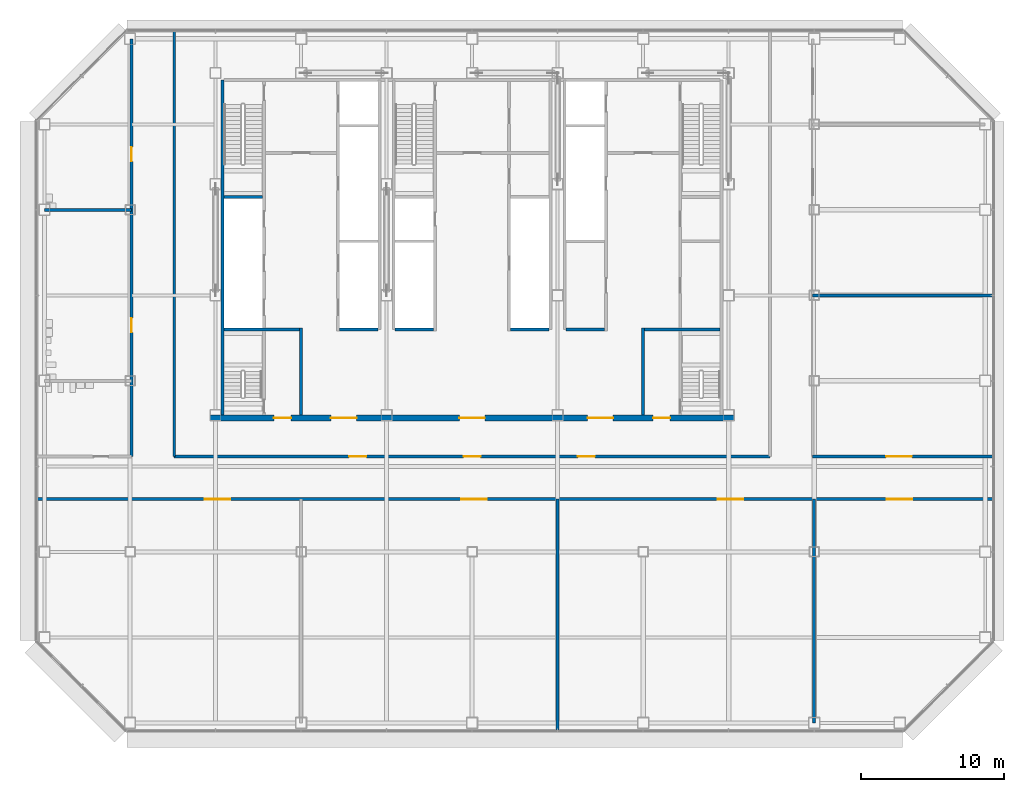
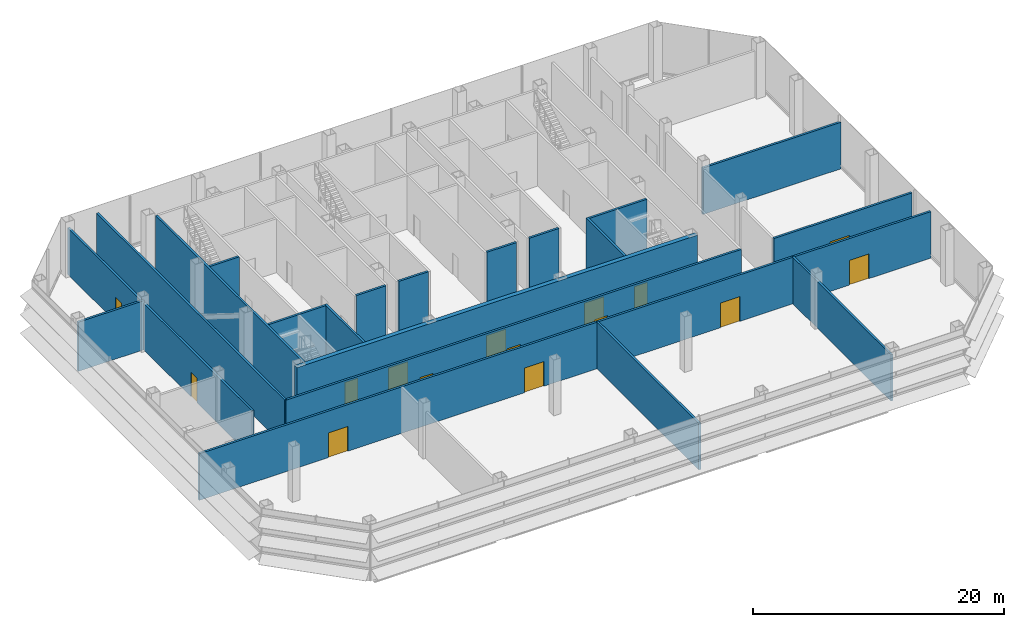
# One storey, part 16 of 23: 20 walls, 15 doors, 15 openings.
"""IFC4 building model written with IfcOpenShell, lengths in metres."""

from ifc_helpers import new_model, si_unit, direction, frame, frame_2d, origin, place, context, subcontext, project, spatial, rectangle, extrude, material, layer, layer_set, type_object, element, fill, save


model = new_model("IFC4")

# Units and contexts
model_context = context("Model", 3, precision=1e-05, world=origin(), true_north=direction((0.0, 1.0)))
body_context = subcontext(model_context, "Body", "Model", "MODEL_VIEW")
ifc_project = project(units=[si_unit("LENGTHUNIT", "METRE"), si_unit("AREAUNIT", "SQUARE_METRE"), si_unit("VOLUMEUNIT", "CUBIC_METRE"), si_unit("PLANEANGLEUNIT", "RADIAN"), si_unit("MASSUNIT", "GRAM", prefix="KILO")], contexts=[model_context])

# Site, building, storey
site_placement = place(None, origin())
site = spatial("IfcSite", under=ifc_project, at=site_placement, CompositionType="ELEMENT")
building_placement = place(site_placement, origin())
building = spatial("IfcBuilding", under=site, at=building_placement, Name="Sorahane Residences", CompositionType="ELEMENT")
storey_placement = place(building_placement, frame((0.0, 0.0, 114.199951171875)))
storey = spatial("IfcBuildingStorey", under=building, at=storey_placement, Name="L25", CompositionType="ELEMENT", Elevation=114.199951171875)

# Wall
ifc_material_1 = material(Name="Concrete C30", Category="concrete")
ifc_layer_1 = layer(ifc_material_1, 0.199951171875)
ifc_layer_set_1 = layer_set([ifc_layer_1], Name="Core face wall 200 EI 180")
wall_type_1 = type_object("IfcWallType", Name="Core face wall 200 EI 180", PredefinedType="SOLIDWALL", material=ifc_layer_set_1)
wall_1_placement = place(storey_placement, frame((6.5, 21.60009765625, 0.0), z_axis=(0.0, 0.0, 1.0), x_axis=(0.0, 1.0, 0.0)))
element("IfcWall", 1, at=wall_1_placement, inside=storey, type_object=wall_type_1, Name="L25 core face wall", PredefinedType="SOLIDWALL", context=body_context, shape_type="SweptSolid", body=[
    extrude(rectangle(XDim=23.5, YDim=0.199951171875, at=frame_2d((11.75, 0.0))), origin(), (0.0, 0.0, 1.0), 5.219970703125),
])

# Wall, openings, doors
ifc_material_2 = material(Name="Concrete blockwork C20 wall", Category="masonry")
ifc_layer_2 = layer(ifc_material_2, 0.199951171875)
ifc_layer_set_2 = layer_set([ifc_layer_2], Name="Corridor wall 200 EI 120")
wall_type_2 = type_object("IfcWallType", Name="Corridor wall 200 EI 120", PredefinedType="SOLIDWALL", material=ifc_layer_set_2)
wall_2_placement = place(storey_placement, frame((0.10009765625, 18.699951171875, 0.0), z_axis=(0.0, 0.0, 1.0), x_axis=(0.0, 1.0, 0.0)))
wall_2 = element("IfcWall", 2, at=wall_2_placement, inside=storey, type_object=wall_type_2, Name="L25 corridor wall", PredefinedType="SOLIDWALL", context=body_context, shape_type="SweptSolid", body=[
    extrude(rectangle(XDim=29.300048828125, YDim=0.199951171875, at=frame_2d((14.64990234375, 0.0))), origin(), (0.0, 0.0, 1.0), 4.52001953125),
])
opening_1_placement = place(wall_2_placement, frame((8.699951171875, 0.0, 0.0)))
opening_1 = element("IfcOpeningElement", 3, at=opening_1_placement, cuts=wall_2, Name="Opening L25-06", PredefinedType="OPENING", context=body_context, shape_type="SweptSolid", body=[
    extrude(rectangle(XDim=1.0, YDim=2.39990234375, at=frame_2d((0.5, 1.199951171875))), frame((0.0, 0.10986328125, 0.0), z_axis=(0.0, -1.0, 0.0), x_axis=(1.0, 0.0, 0.0)), (0.0, 0.0, 1.0), 0.219970703125),
])
opening_2_placement = place(wall_2_placement, frame((20.699951171875, 0.0, 0.0)))
opening_2 = element("IfcOpeningElement", 4, at=opening_2_placement, cuts=wall_2, Name="Opening L25-07", PredefinedType="OPENING", context=body_context, shape_type="SweptSolid", body=[
    extrude(rectangle(XDim=1.0, YDim=2.39990234375, at=frame_2d((0.5, 1.199951171875))), frame((0.0, 0.10986328125, 0.0), z_axis=(0.0, -1.0, 0.0), x_axis=(1.0, 0.0, 0.0)), (0.0, 0.0, 1.0), 0.219970703125),
])
ifc_material_3 = material(Name="Timber veneered fire door", Category="wood")
door_type_1 = type_object("IfcDoorType", Name="Room door 1000x2400 FD30", OperationType="NOTDEFINED", PredefinedType="DOOR", material=ifc_material_3)
door_1_placement = place(opening_1_placement, origin())
door_1 = element("IfcDoor", 5, at=door_1_placement, inside=storey, type_object=door_type_1, Name="Room door L25-06", OperationType="SINGLE_SWING_LEFT", OverallHeight=2.39990234375, OverallWidth=1.0, PredefinedType="DOOR", context=body_context, shape_type="SweptSolid", body=[
    extrude(rectangle(XDim=1.0, YDim=2.39990234375, at=frame_2d((0.5, 1.199951171875))), frame((0.0, 0.02490234375, 0.0), z_axis=(0.0, -1.0, 0.0), x_axis=(1.0, 0.0, 0.0)), (0.0, 0.0, 1.0), 0.050048828125),
])
fill(opening_1, door_1)
door_2_placement = place(opening_2_placement, origin())
door_2 = element("IfcDoor", 6, at=door_2_placement, inside=storey, type_object=door_type_1, Name="Room door L25-07", OperationType="SINGLE_SWING_LEFT", OverallHeight=2.39990234375, OverallWidth=1.0, PredefinedType="DOOR", context=body_context, shape_type="SweptSolid", body=[
    extrude(rectangle(XDim=1.0, YDim=2.39990234375, at=frame_2d((0.5, 1.199951171875))), frame((0.0, 0.02490234375, 0.0), z_axis=(0.0, -1.0, 0.0), x_axis=(1.0, 0.0, 0.0)), (0.0, 0.0, 1.0), 0.050048828125),
])
fill(opening_2, door_2)

# Walls
wall_3_placement = place(storey_placement, frame((3.10009765625, 18.699951171875, 0.0), z_axis=(0.0, 0.0, 1.0), x_axis=(0.0, 1.0, 0.0)))
element("IfcWall", 7, at=wall_3_placement, inside=storey, type_object=wall_type_2, Name="L25 corridor wall", PredefinedType="SOLIDWALL", context=body_context, shape_type="SweptSolid", body=[
    extrude(rectangle(XDim=29.900146484375, YDim=0.199951171875, at=frame_2d((14.9501953125, 0.0))), origin(), (0.0, 0.0, 1.0), 4.52001953125),
])
wall_4_placement = place(storey_placement, frame((30.0, -0.60009765625, 0.0), z_axis=(0.0, 0.0, 1.0), x_axis=(0.0, 1.0, 0.0)))
element("IfcWall", 8, at=wall_4_placement, inside=storey, type_object=wall_type_2, Name="L25 corridor wall", PredefinedType="SOLIDWALL", context=body_context, shape_type="SweptSolid", body=[
    extrude(rectangle(XDim=16.300048828125, YDim=0.199951171875, at=frame_2d((8.14990234375, 0.0))), origin(), (0.0, 0.0, 1.0), 4.52001953125),
])
wall_5_placement = place(storey_placement, frame((48.0, 0.0, 0.0), z_axis=(0.0, 0.0, 1.0), x_axis=(0.0, 1.0, 0.0)))
element("IfcWall", 9, at=wall_5_placement, inside=storey, type_object=wall_type_2, Name="L25 corridor wall", PredefinedType="SOLIDWALL", context=body_context, shape_type="SweptSolid", body=[
    extrude(rectangle(XDim=15.699951171875, YDim=0.199951171875, at=frame_2d((7.85009765625, 0.0))), origin(), (0.0, 0.0, 1.0), 4.52001953125),
])

# Wall, openings, doors
wall_6_placement = place(storey_placement, frame((-6.60009765625, 15.699951171875, 0.0), z_axis=(0.0, 0.0, 1.0), x_axis=(1.0, 0.0, 0.0)))
wall_6 = element("IfcWall", 10, at=wall_6_placement, inside=storey, type_object=wall_type_2, Name="L25 corridor wall", PredefinedType="SOLIDWALL", context=body_context, shape_type="SweptSolid", body=[
    extrude(rectangle(XDim=67.2001953125, YDim=0.199951171875, at=frame_2d((33.60009765625, 0.0))), origin(), (0.0, 0.0, 1.0), 4.52001953125),
])
opening_3_placement = place(wall_6_placement, frame((11.840087890625, 0.0, 0.0)))
opening_3 = element("IfcOpeningElement", 11, at=opening_3_placement, cuts=wall_6, Name="Opening L25-01", PredefinedType="OPENING", context=body_context, shape_type="SweptSolid", body=[
    extrude(rectangle(XDim=1.800048828125, YDim=2.39990234375, at=frame_2d((0.89990234375, 1.199951171875))), frame((0.0, 0.10986328125, 0.0), z_axis=(0.0, -1.0, 0.0), x_axis=(1.0, 0.0, 0.0)), (0.0, 0.0, 1.0), 0.219970703125),
])
opening_4_placement = place(wall_6_placement, frame((29.840087890625, 0.0, 0.0)))
opening_4 = element("IfcOpeningElement", 12, at=opening_4_placement, cuts=wall_6, Name="Opening L25-02", PredefinedType="OPENING", context=body_context, shape_type="SweptSolid", body=[
    extrude(rectangle(XDim=1.800048828125, YDim=2.39990234375, at=frame_2d((0.89990234375, 1.199951171875))), frame((0.0, 0.10986328125, 0.0), z_axis=(0.0, -1.0, 0.0), x_axis=(1.0, 0.0, 0.0)), (0.0, 0.0, 1.0), 0.219970703125),
])
opening_5_placement = place(wall_6_placement, frame((47.840087890625, 0.0, 0.0)))
opening_5 = element("IfcOpeningElement", 13, at=opening_5_placement, cuts=wall_6, Name="Opening L25-03", PredefinedType="OPENING", context=body_context, shape_type="SweptSolid", body=[
    extrude(rectangle(XDim=1.800048828125, YDim=2.39990234375, at=frame_2d((0.89990234375, 1.199951171875))), frame((0.0, 0.10986328125, 0.0), z_axis=(0.0, -1.0, 0.0), x_axis=(1.0, 0.0, 0.0)), (0.0, 0.0, 1.0), 0.219970703125),
])
opening_6_placement = place(wall_6_placement, frame((59.699951171875, 0.0, 0.0)))
opening_6 = element("IfcOpeningElement", 14, at=opening_6_placement, cuts=wall_6, Name="Opening L25-04", PredefinedType="OPENING", context=body_context, shape_type="SweptSolid", body=[
    extrude(rectangle(XDim=1.800048828125, YDim=2.39990234375, at=frame_2d((0.89990234375, 1.199951171875))), frame((0.0, 0.10986328125, 0.0), z_axis=(0.0, -1.0, 0.0), x_axis=(1.0, 0.0, 0.0)), (0.0, 0.0, 1.0), 0.219970703125),
])
ifc_material_4 = material(Name="Timber veneered fire door", Category="wood")
door_type_2 = type_object("IfcDoorType", Name="Double door 1800x2400 FD30", OperationType="NOTDEFINED", PredefinedType="DOOR", material=ifc_material_4)
door_3_placement = place(opening_3_placement, origin())
door_3 = element("IfcDoor", 15, at=door_3_placement, inside=storey, type_object=door_type_2, Name="Double door L25-01", OperationType="SINGLE_SWING_RIGHT", OverallHeight=2.39990234375, OverallWidth=1.800048828125, PredefinedType="DOOR", context=body_context, shape_type="SweptSolid", body=[
    extrude(rectangle(XDim=1.800048828125, YDim=2.39990234375, at=frame_2d((0.89990234375, 1.199951171875))), frame((0.0, 0.02490234375, 0.0), z_axis=(0.0, -1.0, 0.0), x_axis=(1.0, 0.0, 0.0)), (0.0, 0.0, 1.0), 0.050048828125),
])
fill(opening_3, door_3)
door_4_placement = place(opening_4_placement, origin())
door_4 = element("IfcDoor", 16, at=door_4_placement, inside=storey, type_object=door_type_2, Name="Double door L25-02", OperationType="SINGLE_SWING_LEFT", OverallHeight=2.39990234375, OverallWidth=1.800048828125, PredefinedType="DOOR", context=body_context, shape_type="SweptSolid", body=[
    extrude(rectangle(XDim=1.800048828125, YDim=2.39990234375, at=frame_2d((0.89990234375, 1.199951171875))), frame((0.0, 0.02490234375, 0.0), z_axis=(0.0, -1.0, 0.0), x_axis=(1.0, 0.0, 0.0)), (0.0, 0.0, 1.0), 0.050048828125),
])
fill(opening_4, door_4)
door_5_placement = place(opening_5_placement, origin())
door_5 = element("IfcDoor", 17, at=door_5_placement, inside=storey, type_object=door_type_2, Name="Double door L25-03", OperationType="SINGLE_SWING_RIGHT", OverallHeight=2.39990234375, OverallWidth=1.800048828125, PredefinedType="DOOR", context=body_context, shape_type="SweptSolid", body=[
    extrude(rectangle(XDim=1.800048828125, YDim=2.39990234375, at=frame_2d((0.89990234375, 1.199951171875))), frame((0.0, 0.02490234375, 0.0), z_axis=(0.0, -1.0, 0.0), x_axis=(1.0, 0.0, 0.0)), (0.0, 0.0, 1.0), 0.050048828125),
])
fill(opening_5, door_5)
door_6_placement = place(opening_6_placement, origin())
door_6 = element("IfcDoor", 18, at=door_6_placement, inside=storey, type_object=door_type_2, Name="Double door L25-04", OperationType="SINGLE_SWING_RIGHT", OverallHeight=2.39990234375, OverallWidth=1.800048828125, PredefinedType="DOOR", context=body_context, shape_type="SweptSolid", body=[
    extrude(rectangle(XDim=1.800048828125, YDim=2.39990234375, at=frame_2d((0.89990234375, 1.199951171875))), frame((0.0, 0.02490234375, 0.0), z_axis=(0.0, -1.0, 0.0), x_axis=(1.0, 0.0, 0.0)), (0.0, 0.0, 1.0), 0.050048828125),
])
fill(opening_6, door_6)

wall_7_placement = place(storey_placement, frame((3.10009765625, 18.699951171875, 0.0), z_axis=(0.0, 0.0, 1.0), x_axis=(1.0, 0.0, 0.0)))
wall_7 = element("IfcWall", 19, at=wall_7_placement, inside=storey, type_object=wall_type_2, Name="L25 corridor wall", PredefinedType="SOLIDWALL", context=body_context, shape_type="SweptSolid", body=[
    extrude(rectangle(XDim=41.7998046875, YDim=0.199951171875, at=frame_2d((20.89990234375, 0.0))), origin(), (0.0, 0.0, 1.0), 4.52001953125),
])
opening_7_placement = place(wall_7_placement, frame((28.320068359375, 0.0, 0.0)))
opening_7 = element("IfcOpeningElement", 20, at=opening_7_placement, cuts=wall_7, Name="Opening L25-11", PredefinedType="OPENING", context=body_context, shape_type="SweptSolid", body=[
    extrude(rectangle(XDim=1.199951171875, YDim=2.39990234375, at=frame_2d((0.60009765625, 1.199951171875))), frame((0.0, 0.10986328125, 0.0), z_axis=(0.0, -1.0, 0.0), x_axis=(1.0, 0.0, 0.0)), (0.0, 0.0, 1.0), 0.219970703125),
])
opening_8_placement = place(wall_7_placement, frame((20.300048828125, 0.0, 0.0)))
opening_8 = element("IfcOpeningElement", 21, at=opening_8_placement, cuts=wall_7, Name="Opening L25-12", PredefinedType="OPENING", context=body_context, shape_type="SweptSolid", body=[
    extrude(rectangle(XDim=1.199951171875, YDim=2.39990234375, at=frame_2d((0.60009765625, 1.199951171875))), frame((0.0, 0.10986328125, 0.0), z_axis=(0.0, -1.0, 0.0), x_axis=(1.0, 0.0, 0.0)), (0.0, 0.0, 1.0), 0.219970703125),
])
opening_9_placement = place(wall_7_placement, frame((12.280029296875, 0.0, 0.0)))
opening_9 = element("IfcOpeningElement", 22, at=opening_9_placement, cuts=wall_7, Name="Opening L25-13", PredefinedType="OPENING", context=body_context, shape_type="SweptSolid", body=[
    extrude(rectangle(XDim=1.199951171875, YDim=2.39990234375, at=frame_2d((0.60009765625, 1.199951171875))), frame((0.0, 0.10986328125, 0.0), z_axis=(0.0, -1.0, 0.0), x_axis=(1.0, 0.0, 0.0)), (0.0, 0.0, 1.0), 0.219970703125),
])
ifc_material_5 = material(Name="Steel", Category="steel")
door_type_3 = type_object("IfcDoorType", Name="Lobby door 1200x2400 FD60", OperationType="NOTDEFINED", PredefinedType="DOOR", material=ifc_material_5)
door_7_placement = place(opening_7_placement, frame((1.199951171875, 0.0, 0.0), z_axis=(0.0, 0.0, 1.0), x_axis=(-1.0, 0.0, 0.0)))
door_7 = element("IfcDoor", 23, at=door_7_placement, inside=storey, type_object=door_type_3, Name="Lobby door L25-11", OperationType="SINGLE_SWING_RIGHT", OverallHeight=2.39990234375, OverallWidth=1.199951171875, PredefinedType="DOOR", context=body_context, shape_type="SweptSolid", body=[
    extrude(rectangle(XDim=1.199951171875, YDim=2.39990234375, at=frame_2d((0.60009765625, 1.199951171875))), frame((0.0, 0.02490234375, 0.0), z_axis=(0.0, -1.0, 0.0), x_axis=(1.0, 0.0, 0.0)), (0.0, 0.0, 1.0), 0.050048828125),
])
fill(opening_7, door_7)
door_8_placement = place(opening_8_placement, frame((1.199951171875, 0.0, 0.0), z_axis=(0.0, 0.0, 1.0), x_axis=(-1.0, 0.0, 0.0)))
door_8 = element("IfcDoor", 24, at=door_8_placement, inside=storey, type_object=door_type_3, Name="Lobby door L25-12", OperationType="SINGLE_SWING_RIGHT", OverallHeight=2.39990234375, OverallWidth=1.199951171875, PredefinedType="DOOR", context=body_context, shape_type="SweptSolid", body=[
    extrude(rectangle(XDim=1.199951171875, YDim=2.39990234375, at=frame_2d((0.60009765625, 1.199951171875))), frame((0.0, 0.02490234375, 0.0), z_axis=(0.0, -1.0, 0.0), x_axis=(1.0, 0.0, 0.0)), (0.0, 0.0, 1.0), 0.050048828125),
])
fill(opening_8, door_8)
door_9_placement = place(opening_9_placement, frame((1.199951171875, 0.0, 0.0), z_axis=(0.0, 0.0, 1.0), x_axis=(-1.0, 0.0, 0.0)))
door_9 = element("IfcDoor", 25, at=door_9_placement, inside=storey, type_object=door_type_3, Name="Lobby door L25-13", OperationType="SINGLE_SWING_RIGHT", OverallHeight=2.39990234375, OverallWidth=1.199951171875, PredefinedType="DOOR", context=body_context, shape_type="SweptSolid", body=[
    extrude(rectangle(XDim=1.199951171875, YDim=2.39990234375, at=frame_2d((0.60009765625, 1.199951171875))), frame((0.0, 0.02490234375, 0.0), z_axis=(0.0, -1.0, 0.0), x_axis=(1.0, 0.0, 0.0)), (0.0, 0.0, 1.0), 0.050048828125),
])
fill(opening_9, door_9)

# Wall, opening, door
wall_8_placement = place(storey_placement, frame((47.89990234375, 18.699951171875, 0.0), z_axis=(0.0, 0.0, 1.0), x_axis=(1.0, 0.0, 0.0)))
wall_8 = element("IfcWall", 26, at=wall_8_placement, inside=storey, type_object=wall_type_2, Name="L25 corridor wall", PredefinedType="SOLIDWALL", context=body_context, shape_type="SweptSolid", body=[
    extrude(rectangle(XDim=12.7001953125, YDim=0.199951171875, at=frame_2d((6.35009765625, 0.0))), origin(), (0.0, 0.0, 1.0), 4.52001953125),
])
opening_10_placement = place(wall_8_placement, frame((5.14990234375, 0.0, 0.0)))
opening_10 = element("IfcOpeningElement", 27, at=opening_10_placement, cuts=wall_8, Name="Opening L25-08", PredefinedType="OPENING", context=body_context, shape_type="SweptSolid", body=[
    extrude(rectangle(XDim=1.800048828125, YDim=2.39990234375, at=frame_2d((0.89990234375, 1.199951171875))), frame((0.0, 0.10986328125, 0.0), z_axis=(0.0, -1.0, 0.0), x_axis=(1.0, 0.0, 0.0)), (0.0, 0.0, 1.0), 0.219970703125),
])
door_10_placement = place(opening_10_placement, frame((1.800048828125, 0.0, 0.0), z_axis=(0.0, 0.0, 1.0), x_axis=(-1.0, 0.0, 0.0)))
door_10 = element("IfcDoor", 28, at=door_10_placement, inside=storey, type_object=door_type_2, Name="Double door L25-08", OperationType="SINGLE_SWING_LEFT", OverallHeight=2.39990234375, OverallWidth=1.800048828125, PredefinedType="DOOR", context=body_context, shape_type="SweptSolid", body=[
    extrude(rectangle(XDim=1.800048828125, YDim=2.39990234375, at=frame_2d((0.89990234375, 1.199951171875))), frame((0.0, 0.02490234375, 0.0), z_axis=(0.0, -1.0, 0.0), x_axis=(1.0, 0.0, 0.0)), (0.0, 0.0, 1.0), 0.050048828125),
])
fill(opening_10, door_10)

# Walls
wall_9_placement = place(storey_placement, frame((47.89990234375, 30.0, 0.0), z_axis=(0.0, 0.0, 1.0), x_axis=(1.0, 0.0, 0.0)))
element("IfcWall", 29, at=wall_9_placement, inside=storey, type_object=wall_type_2, Name="L25 corridor wall", PredefinedType="SOLIDWALL", context=body_context, shape_type="SweptSolid", body=[
    extrude(rectangle(XDim=12.7001953125, YDim=0.199951171875, at=frame_2d((6.35009765625, 0.0))), origin(), (0.0, 0.0, 1.0), 4.52001953125),
])
wall_10_placement = place(storey_placement, frame((-6.0, 36.0, 0.0), z_axis=(0.0, 0.0, 1.0), x_axis=(1.0, 0.0, 0.0)))
element("IfcWall", 30, at=wall_10_placement, inside=storey, type_object=wall_type_2, Name="L25 corridor wall", PredefinedType="SOLIDWALL", context=body_context, shape_type="SweptSolid", body=[
    extrude(rectangle(XDim=6.10009765625, YDim=0.199951171875, at=frame_2d((3.050048828125, 0.0))), origin(), (0.0, 0.0, 1.0), 4.77001953125),
])
ifc_material_6 = material(Name="Concrete C30", Category="concrete")
ifc_layer_3 = layer(ifc_material_6, 0.199951171875)
ifc_layer_set_3 = layer_set([ifc_layer_3], Name="Front room wall 200 EI 120")
wall_type_3 = type_object("IfcWallType", Name="Front room wall 200 EI 120", PredefinedType="PARTITIONING", material=ifc_layer_set_3)
for number, where, z_axis, x_axis, name in (
    (31, (12.0, 21.60009765625, 0.0), (0.0, 0.0, 1.0), (0.0, 1.0, 0.0), "L25 front room wall"),
    (32, (36.0, 21.60009765625, 0.0), (0.0, 0.0, 1.0), (0.0, 1.0, 0.0), "L25 front room wall"),
):
    element("IfcWall", number, at=place(storey_placement, frame(where, z_axis=z_axis, x_axis=x_axis)), inside=storey, type_object=wall_type_3, Name=name, PredefinedType="PARTITIONING", context=body_context, shape_type="SweptSolid", body=[
        extrude(rectangle(XDim=6.099853515625, YDim=0.199951171875, at=frame_2d((3.0498046875, 0.0))), origin(), (0.0, 0.0, 1.0), 5.219970703125),
    ])
ifc_material_7 = material(Name="Concrete C30", Category="concrete")
ifc_layer_4 = layer(ifc_material_7, 0.199951171875)
ifc_layer_set_4 = layer_set([ifc_layer_4], Name="Lift shaft wall 200 EI 120")
wall_type_4 = type_object("IfcWallType", Name="Lift shaft wall 200 EI 120", PredefinedType="SOLIDWALL", material=ifc_layer_set_4)
for number, where, z_axis, x_axis, name in (
    (33, (14.699951171875, 27.60009765625, 0.0), (0.0, 0.0, 1.0), (1.0, 0.0, 0.0), "L25 lift shaft wall"),
    (34, (18.60009765625, 27.60009765625, 0.0), (0.0, 0.0, 1.0), (1.0, 0.0, 0.0), "L25 lift shaft wall"),
):
    element("IfcWall", number, at=place(storey_placement, frame(where, z_axis=z_axis, x_axis=x_axis)), inside=storey, type_object=wall_type_4, Name=name, PredefinedType="SOLIDWALL", context=body_context, shape_type="SweptSolid", body=[
        extrude(rectangle(XDim=2.699951171875, YDim=0.199951171875, at=frame_2d((1.35009765625, 0.0))), origin(), (0.0, 0.0, 1.0), 5.219970703125),
    ])
ifc_material_8 = material(Name="Concrete C30", Category="concrete")
ifc_layer_5 = layer(ifc_material_8, 0.199951171875)
ifc_layer_set_5 = layer_set([ifc_layer_5], Name="Riser shaft wall 200 EI 120")
wall_type_5 = type_object("IfcWallType", Name="Riser shaft wall 200 EI 120", PredefinedType="SOLIDWALL", material=ifc_layer_set_5)
wall_11_placement = place(storey_placement, frame((26.699951171875, 27.60009765625, 0.0), z_axis=(0.0, 0.0, 1.0), x_axis=(1.0, 0.0, 0.0)))
element("IfcWall", 35, at=wall_11_placement, inside=storey, type_object=wall_type_5, Name="L25 riser wall", PredefinedType="SOLIDWALL", context=body_context, shape_type="SweptSolid", body=[
    extrude(rectangle(XDim=2.699951171875, YDim=0.199951171875, at=frame_2d((1.35009765625, 0.0))), origin(), (0.0, 0.0, 1.0), 5.219970703125),
])
ifc_material_9 = material(Name="Concrete C30", Category="concrete")
ifc_layer_6 = layer(ifc_material_9, 0.199951171875)
ifc_layer_set_6 = layer_set([ifc_layer_6], Name="Service room partition 200 EI 60")
wall_type_6 = type_object("IfcWallType", Name="Service room partition 200 EI 60", PredefinedType="PARTITIONING", material=ifc_layer_set_6)
wall_12_placement = place(storey_placement, frame((30.60009765625, 27.60009765625, 0.0), z_axis=(0.0, 0.0, 1.0), x_axis=(1.0, 0.0, 0.0)))
element("IfcWall", 36, at=wall_12_placement, inside=storey, type_object=wall_type_6, Name="L25 service room wall", PredefinedType="PARTITIONING", context=body_context, shape_type="SweptSolid", body=[
    extrude(rectangle(XDim=2.699951171875, YDim=0.199951171875, at=frame_2d((1.35009765625, 0.0))), origin(), (0.0, 0.0, 1.0), 5.219970703125),
])
ifc_material_10 = material(Name="Concrete C30", Category="concrete")
ifc_layer_7 = layer(ifc_material_10, 0.199951171875)
ifc_layer_set_7 = layer_set([ifc_layer_7], Name="Stair enclosure wall 200 EI 120")
wall_type_7 = type_object("IfcWallType", Name="Stair enclosure wall 200 EI 120", PredefinedType="SOLIDWALL", material=ifc_layer_set_7)
for number, where, z_axis, x_axis, name in (
    (37, (36.10009765625, 27.60009765625, 0.0), (0.0, 0.0, 1.0), (1.0, 0.0, 0.0), "L25 stair enclosure wall"),
    (38, (6.60009765625, 27.60009765625, 0.0), (0.0, 0.0, 1.0), (1.0, 0.0, 0.0), "L25 stair enclosure wall"),
):
    element("IfcWall", number, at=place(storey_placement, frame(where, z_axis=z_axis, x_axis=x_axis)), inside=storey, type_object=wall_type_7, Name=name, PredefinedType="SOLIDWALL", context=body_context, shape_type="SweptSolid", body=[
        extrude(rectangle(XDim=5.2998046875, YDim=0.199951171875, at=frame_2d((2.64990234375, 0.0))), origin(), (0.0, 0.0, 1.0), 5.219970703125),
    ])
wall_13_placement = place(storey_placement, frame((6.60009765625, 36.89990234375, 0.0), z_axis=(0.0, 0.0, 1.0), x_axis=(1.0, 0.0, 0.0)))
element("IfcWall", 39, at=wall_13_placement, inside=storey, type_object=wall_type_7, Name="L25 stair enclosure wall", PredefinedType="SOLIDWALL", context=body_context, shape_type="SweptSolid", body=[
    extrude(rectangle(XDim=2.699951171875, YDim=0.199951171875, at=frame_2d((1.35009765625, 0.0))), origin(), (0.0, 0.0, 1.0), 5.219970703125),
])

# Wall, openings, doors
ifc_material_11 = material(Name="Concrete C30", Category="concrete")
ifc_layer_8 = layer(ifc_material_11, 0.39990234375)
ifc_layer_set_8 = layer_set([ifc_layer_8], Name="Waiting hall wall 400 EI 120")
wall_type_8 = type_object("IfcWallType", Name="Waiting hall wall 400 EI 120", PredefinedType="SOLIDWALL", material=ifc_layer_set_8)
wall_14_placement = place(storey_placement, frame((5.60009765625, 21.39990234375, 0.0), z_axis=(0.0, 0.0, 1.0), x_axis=(1.0, 0.0, 0.0)))
wall_14 = element("IfcWall", 40, at=wall_14_placement, inside=storey, type_object=wall_type_8, Name="L25 waiting hall wall", PredefinedType="SOLIDWALL", context=body_context, shape_type="SweptSolid", body=[
    extrude(rectangle(XDim=36.7998046875, YDim=0.39990234375, at=frame_2d((18.39990234375, 0.0))), origin(), (0.0, 0.0, 1.0), 5.219970703125),
])
opening_11_placement = place(wall_14_placement, frame((8.5, 0.0, 0.0)))
opening_11 = element("IfcOpeningElement", 41, at=opening_11_placement, cuts=wall_14, Name="Opening L25-C01", PredefinedType="OPENING", context=body_context, shape_type="SweptSolid", body=[
    extrude(rectangle(XDim=1.800048828125, YDim=2.10009765625, at=frame_2d((0.89990234375, 1.050048828125))), frame((0.0, 0.2099609375, 0.0), z_axis=(0.0, -1.0, 0.0), x_axis=(1.0, 0.0, 0.0)), (0.0, 0.0, 1.0), 0.419921875),
])
opening_12_placement = place(wall_14_placement, frame((17.5, 0.0, 0.0)))
opening_12 = element("IfcOpeningElement", 42, at=opening_12_placement, cuts=wall_14, Name="Opening L25-C02", PredefinedType="OPENING", context=body_context, shape_type="SweptSolid", body=[
    extrude(rectangle(XDim=1.800048828125, YDim=2.10009765625, at=frame_2d((0.89990234375, 1.050048828125))), frame((0.0, 0.2099609375, 0.0), z_axis=(0.0, -1.0, 0.0), x_axis=(1.0, 0.0, 0.0)), (0.0, 0.0, 1.0), 0.419921875),
])
opening_13_placement = place(wall_14_placement, frame((26.5, 0.0, 0.0)))
opening_13 = element("IfcOpeningElement", 43, at=opening_13_placement, cuts=wall_14, Name="Opening L25-C03", PredefinedType="OPENING", context=body_context, shape_type="SweptSolid", body=[
    extrude(rectangle(XDim=1.800048828125, YDim=2.10009765625, at=frame_2d((0.89990234375, 1.050048828125))), frame((0.0, 0.2099609375, 0.0), z_axis=(0.0, -1.0, 0.0), x_axis=(1.0, 0.0, 0.0)), (0.0, 0.0, 1.0), 0.419921875),
])
opening_14_placement = place(wall_14_placement, frame((4.5, 0.0, 0.0)))
opening_14 = element("IfcOpeningElement", 44, at=opening_14_placement, cuts=wall_14, Name="Opening L25-C04", PredefinedType="OPENING", context=body_context, shape_type="SweptSolid", body=[
    extrude(rectangle(XDim=1.199951171875, YDim=2.10009765625, at=frame_2d((0.60009765625, 1.050048828125))), frame((0.0, 0.2099609375, 0.0), z_axis=(0.0, -1.0, 0.0), x_axis=(1.0, 0.0, 0.0)), (0.0, 0.0, 1.0), 0.419921875),
])
opening_15_placement = place(wall_14_placement, frame((31.10009765625, 0.0, 0.0)))
opening_15 = element("IfcOpeningElement", 45, at=opening_15_placement, cuts=wall_14, Name="Opening L25-C05", PredefinedType="OPENING", context=body_context, shape_type="SweptSolid", body=[
    extrude(rectangle(XDim=1.199951171875, YDim=2.10009765625, at=frame_2d((0.60009765625, 1.050048828125))), frame((0.0, 0.2099609375, 0.0), z_axis=(0.0, -1.0, 0.0), x_axis=(1.0, 0.0, 0.0)), (0.0, 0.0, 1.0), 0.419921875),
])
ifc_material_12 = material(Name="Steel", Category="steel")
door_type_4 = type_object("IfcDoorType", Name="Stair front room door 1200x2100 FD120", OperationType="NOTDEFINED", PredefinedType="DOOR", material=ifc_material_12)
door_11_placement = place(opening_14_placement, frame((1.199951171875, 0.0, 0.0), z_axis=(0.0, 0.0, 1.0), x_axis=(-1.0, 0.0, 0.0)))
door_11 = element("IfcDoor", 46, at=door_11_placement, inside=storey, type_object=door_type_4, Name="Stair front room door Stair S4 front room L25", OperationType="SINGLE_SWING_LEFT", OverallHeight=2.10009765625, OverallWidth=1.199951171875, PredefinedType="DOOR", context=body_context, shape_type="SweptSolid", body=[
    extrude(rectangle(XDim=1.199951171875, YDim=2.10009765625, at=frame_2d((0.60009765625, 1.050048828125))), frame((0.0, 0.02490234375, 0.0), z_axis=(0.0, -1.0, 0.0), x_axis=(1.0, 0.0, 0.0)), (0.0, 0.0, 1.0), 0.050048828125),
])
fill(opening_14, door_11)
door_12_placement = place(opening_15_placement, frame((1.199951171875, 0.0, 0.0), z_axis=(0.0, 0.0, 1.0), x_axis=(-1.0, 0.0, 0.0)))
door_12 = element("IfcDoor", 47, at=door_12_placement, inside=storey, type_object=door_type_4, Name="Stair front room door Stair S5 front room L25", OperationType="SINGLE_SWING_LEFT", OverallHeight=2.10009765625, OverallWidth=1.199951171875, PredefinedType="DOOR", context=body_context, shape_type="SweptSolid", body=[
    extrude(rectangle(XDim=1.199951171875, YDim=2.10009765625, at=frame_2d((0.60009765625, 1.050048828125))), frame((0.0, 0.02490234375, 0.0), z_axis=(0.0, -1.0, 0.0), x_axis=(1.0, 0.0, 0.0)), (0.0, 0.0, 1.0), 0.050048828125),
])
fill(opening_15, door_12)
ifc_material_13 = material(Name="Steel", Category="steel")
door_type_5 = type_object("IfcDoorType", Name="Waiting hall door 1800x2100 FD60", OperationType="NOTDEFINED", PredefinedType="DOOR", material=ifc_material_13)
door_13_placement = place(opening_11_placement, frame((1.800048828125, 0.0, 0.0), z_axis=(0.0, 0.0, 1.0), x_axis=(-1.0, 0.0, 0.0)))
door_13 = element("IfcDoor", 48, at=door_13_placement, inside=storey, type_object=door_type_5, Name="Waiting hall door Residents' waiting hall L25", OperationType="SINGLE_SWING_LEFT", OverallHeight=2.10009765625, OverallWidth=1.800048828125, PredefinedType="DOOR", context=body_context, shape_type="SweptSolid", body=[
    extrude(rectangle(XDim=1.800048828125, YDim=2.10009765625, at=frame_2d((0.89990234375, 1.050048828125))), frame((0.0, 0.02490234375, 0.0), z_axis=(0.0, -1.0, 0.0), x_axis=(1.0, 0.0, 0.0)), (0.0, 0.0, 1.0), 0.050048828125),
])
fill(opening_11, door_13)
door_14_placement = place(opening_12_placement, frame((1.800048828125, 0.0, 0.0), z_axis=(0.0, 0.0, 1.0), x_axis=(-1.0, 0.0, 0.0)))
door_14 = element("IfcDoor", 49, at=door_14_placement, inside=storey, type_object=door_type_5, Name="Waiting hall door Residents' waiting hall L25", OperationType="SINGLE_SWING_LEFT", OverallHeight=2.10009765625, OverallWidth=1.800048828125, PredefinedType="DOOR", context=body_context, shape_type="SweptSolid", body=[
    extrude(rectangle(XDim=1.800048828125, YDim=2.10009765625, at=frame_2d((0.89990234375, 1.050048828125))), frame((0.0, 0.02490234375, 0.0), z_axis=(0.0, -1.0, 0.0), x_axis=(1.0, 0.0, 0.0)), (0.0, 0.0, 1.0), 0.050048828125),
])
fill(opening_12, door_14)
door_15_placement = place(opening_13_placement, frame((1.800048828125, 0.0, 0.0), z_axis=(0.0, 0.0, 1.0), x_axis=(-1.0, 0.0, 0.0)))
door_15 = element("IfcDoor", 50, at=door_15_placement, inside=storey, type_object=door_type_5, Name="Waiting hall door Residents' waiting hall L25", OperationType="SINGLE_SWING_LEFT", OverallHeight=2.10009765625, OverallWidth=1.800048828125, PredefinedType="DOOR", context=body_context, shape_type="SweptSolid", body=[
    extrude(rectangle(XDim=1.800048828125, YDim=2.10009765625, at=frame_2d((0.89990234375, 1.050048828125))), frame((0.0, 0.02490234375, 0.0), z_axis=(0.0, -1.0, 0.0), x_axis=(1.0, 0.0, 0.0)), (0.0, 0.0, 1.0), 0.050048828125),
])
fill(opening_13, door_15)

save(model, "model.ifc")
